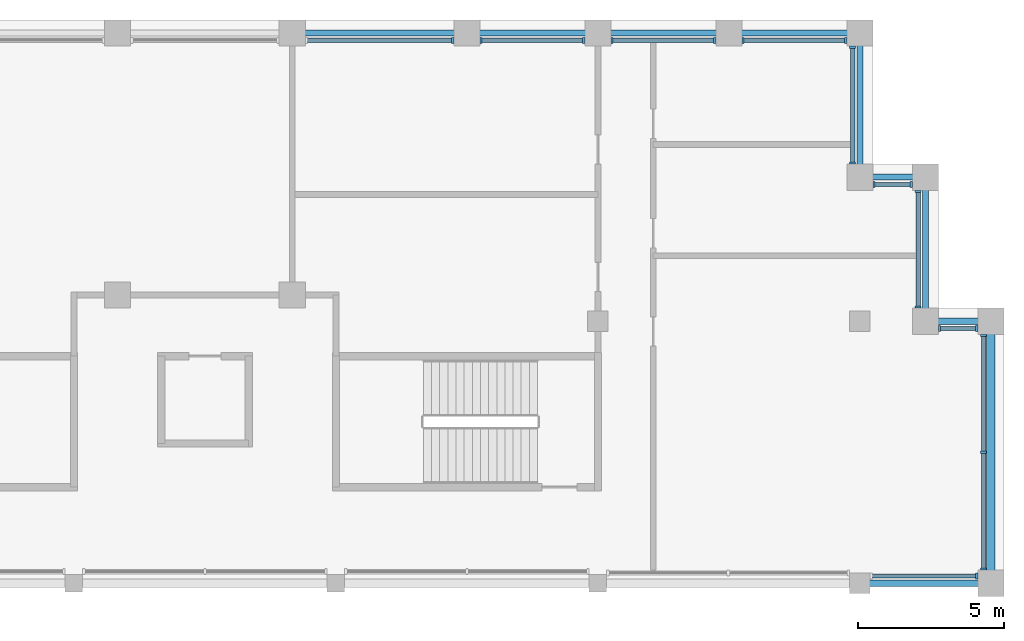
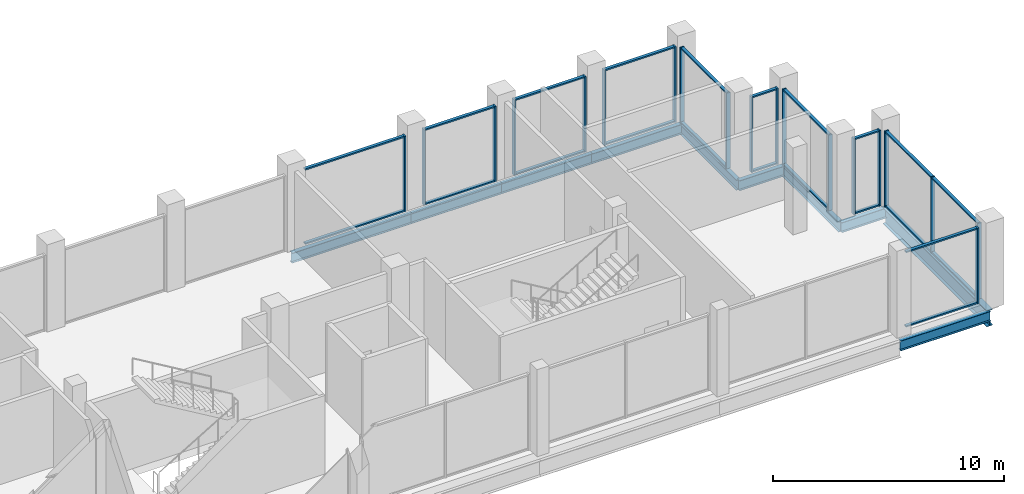
# One storey, part 4 of 8: 41 members, 10 beams, 10 elements without a shape of their own.
"""IFC4 building model written with IfcOpenShell, lengths in metres."""

from ifc_helpers import new_model, si_unit, direction, frame, origin, origin_2d, place, context, subcontext, project, spatial, rectangle, i_section, extrude, material, layer, layer_set, material_profile, profile_set, type_object, element, aggregate, save


model = new_model("IFC4")

# Units and contexts
model_context = context("Model", 3, precision=1e-05, world=origin(), true_north=direction((0.0, 1.0)))
body_context = subcontext(model_context, "Body", "Model", "MODEL_VIEW")
ifc_project = project(units=[si_unit("LENGTHUNIT", "METRE"), si_unit("AREAUNIT", "SQUARE_METRE"), si_unit("VOLUMEUNIT", "CUBIC_METRE"), si_unit("PLANEANGLEUNIT", "RADIAN"), si_unit("MASSUNIT", "GRAM", prefix="KILO")], contexts=[model_context])

# Site, building, storey
site_placement = place(None, origin())
site = spatial("IfcSite", under=ifc_project, at=site_placement, CompositionType="ELEMENT")
building_placement = place(site_placement, origin())
building = spatial("IfcBuilding", under=site, at=building_placement, Name="Corbelhall Arena Tower", CompositionType="ELEMENT")
storey_placement = place(building_placement, frame((0.0, 0.0, 381.0)))
storey = spatial("IfcBuildingStorey", under=building, at=storey_placement, Name="L82", CompositionType="ELEMENT", Elevation=381.0)

# Curtain wall, member
ifc_material_1 = material(Name="Aluminium black anodised", Category="aluminium")
ifc_layer = layer(ifc_material_1, 0.179931640625)
ifc_layer_set = layer_set([ifc_layer], Name="EV-CW3 Crown glazing")
curtain_wall_type = type_object("IfcCurtainWallType", Name="EV-CW3 Crown glazing", PredefinedType="NOTDEFINED", material=ifc_layer_set)
curtain_wall_1_placement = place(storey_placement, origin())
curtain_wall_1 = element("IfcCurtainWall", 1, at=curtain_wall_1_placement, inside=storey, type_object=curtain_wall_type, Name="Curtain wall CW3E", PredefinedType="NOTDEFINED")
ifc_material_profile_1 = material_profile(ifc_material_1, rectangle(XDim=0.199951171875, YDim=0.074951171875, at=origin_2d()))
ifc_profile_set_1 = profile_set([ifc_material_profile_1], Name="Aluminium black anodised")
member_type_1 = type_object("IfcMemberType", Name="EV-CW3-MULLION", PredefinedType="MULLION", material=ifc_profile_set_1)
member_1_placement = place(storey_placement, frame((26.512451171875, 9.25, 0.0), z_axis=(0.0, 0.0, 1.0), x_axis=(0.0, 1.0, 0.0)))
member_1 = element("IfcMember", 2, at=member_1_placement, type_object=member_type_1, Name="CW3E mullion 2", PredefinedType="MULLION", context=body_context, shape_type="SweptSolid", body=[
    extrude(rectangle(XDim=0.199951171875, YDim=0.074951171875, at=origin_2d()), origin(), (0.0, 0.0, 1.0), 3.99951171875),
])

# Curtain wall, members
curtain_wall_2_placement = place(storey_placement, origin())
curtain_wall_2 = element("IfcCurtainWall", 3, at=curtain_wall_2_placement, inside=storey, type_object=curtain_wall_type, Name="Curtain wall CW3", PredefinedType="NOTDEFINED")
member_2_placement = place(storey_placement, frame((26.75, 9.487548828125, 0.0), z_axis=(0.0, 0.0, 1.0), x_axis=(-1.0, 0.0, 0.0)))
member_2 = element("IfcMember", 4, at=member_2_placement, type_object=member_type_1, Name="CW3 mullion 1", PredefinedType="MULLION", context=body_context, shape_type="SweptSolid", body=[
    extrude(rectangle(XDim=0.199951171875, YDim=0.074951171875, at=origin_2d()), origin(), (0.0, 0.0, 1.0), 3.99951171875),
])
member_3_placement = place(storey_placement, frame((26.75, 13.5, 0.0), z_axis=(0.0, 0.0, 1.0), x_axis=(-1.0, 0.0, 0.0)))
member_3 = element("IfcMember", 5, at=member_3_placement, type_object=member_type_1, Name="CW3 mullion 2", PredefinedType="MULLION", context=body_context, shape_type="SweptSolid", body=[
    extrude(rectangle(XDim=0.199951171875, YDim=0.074951171875, at=origin_2d()), origin(), (0.0, 0.0, 1.0), 3.99951171875),
])
member_4_placement = place(storey_placement, frame((26.75, 17.512451171875, 0.0), z_axis=(0.0, 0.0, 1.0), x_axis=(-1.0, 0.0, 0.0)))
member_4 = element("IfcMember", 6, at=member_4_placement, type_object=member_type_1, Name="CW3 mullion 3", PredefinedType="MULLION", context=body_context, shape_type="SweptSolid", body=[
    extrude(rectangle(XDim=0.199951171875, YDim=0.074951171875, at=origin_2d()), origin(), (0.0, 0.0, 1.0), 3.99951171875),
])

curtain_wall_3_placement = place(storey_placement, origin())
curtain_wall_3 = element("IfcCurtainWall", 7, at=curtain_wall_3_placement, inside=storey, type_object=curtain_wall_type, Name="Curtain wall CW3B", PredefinedType="NOTDEFINED")
member_5_placement = place(storey_placement, frame((26.512451171875, 17.75, 0.0), z_axis=(0.0, 0.0, 1.0), x_axis=(0.0, -1.0, 0.0)))
member_5 = element("IfcMember", 8, at=member_5_placement, type_object=member_type_1, Name="CW3B mullion 1", PredefinedType="MULLION", context=body_context, shape_type="SweptSolid", body=[
    extrude(rectangle(XDim=0.199951171875, YDim=0.074951171875, at=origin_2d()), origin(), (0.0, 0.0, 1.0), 3.99951171875),
])
member_6_placement = place(storey_placement, frame((25.237548828125, 17.75, 0.0), z_axis=(0.0, 0.0, 1.0), x_axis=(0.0, -1.0, 0.0)))
member_6 = element("IfcMember", 9, at=member_6_placement, type_object=member_type_1, Name="CW3B mullion 2", PredefinedType="MULLION", context=body_context, shape_type="SweptSolid", body=[
    extrude(rectangle(XDim=0.199951171875, YDim=0.074951171875, at=origin_2d()), origin(), (0.0, 0.0, 1.0), 3.99951171875),
])

curtain_wall_4_placement = place(storey_placement, origin())
curtain_wall_4 = element("IfcCurtainWall", 10, at=curtain_wall_4_placement, inside=storey, type_object=curtain_wall_type, Name="Curtain wall CW3", PredefinedType="NOTDEFINED")
member_7_placement = place(storey_placement, frame((24.5, 18.487548828125, 0.0), z_axis=(0.0, 0.0, 1.0), x_axis=(-1.0, 0.0, 0.0)))
member_7 = element("IfcMember", 11, at=member_7_placement, type_object=member_type_1, Name="CW3 mullion 1", PredefinedType="MULLION", context=body_context, shape_type="SweptSolid", body=[
    extrude(rectangle(XDim=0.199951171875, YDim=0.074951171875, at=origin_2d()), origin(), (0.0, 0.0, 1.0), 3.99951171875),
])
member_8_placement = place(storey_placement, frame((24.5, 22.46240234375, 0.0), z_axis=(0.0, 0.0, 1.0), x_axis=(-1.0, 0.0, 0.0)))
member_8 = element("IfcMember", 12, at=member_8_placement, type_object=member_type_1, Name="CW3 mullion 2", PredefinedType="MULLION", context=body_context, shape_type="SweptSolid", body=[
    extrude(rectangle(XDim=0.199951171875, YDim=0.074951171875, at=origin_2d()), origin(), (0.0, 0.0, 1.0), 3.99951171875),
])

curtain_wall_5_placement = place(storey_placement, origin())
curtain_wall_5 = element("IfcCurtainWall", 13, at=curtain_wall_5_placement, inside=storey, type_object=curtain_wall_type, Name="Curtain wall CW3B", PredefinedType="NOTDEFINED")
member_9_placement = place(storey_placement, frame((24.262451171875, 22.699951171875, 0.0), z_axis=(0.0, 0.0, 1.0), x_axis=(0.0, -1.0, 0.0)))
member_9 = element("IfcMember", 14, at=member_9_placement, type_object=member_type_1, Name="CW3B mullion 1", PredefinedType="MULLION", context=body_context, shape_type="SweptSolid", body=[
    extrude(rectangle(XDim=0.199951171875, YDim=0.074951171875, at=origin_2d()), origin(), (0.0, 0.0, 1.0), 3.99951171875),
])
member_10_placement = place(storey_placement, frame((22.987548828125, 22.699951171875, 0.0), z_axis=(0.0, 0.0, 1.0), x_axis=(0.0, -1.0, 0.0)))
member_10 = element("IfcMember", 15, at=member_10_placement, type_object=member_type_1, Name="CW3B mullion 2", PredefinedType="MULLION", context=body_context, shape_type="SweptSolid", body=[
    extrude(rectangle(XDim=0.199951171875, YDim=0.074951171875, at=origin_2d()), origin(), (0.0, 0.0, 1.0), 3.99951171875),
])

curtain_wall_6_placement = place(storey_placement, origin())
curtain_wall_6 = element("IfcCurtainWall", 16, at=curtain_wall_6_placement, inside=storey, type_object=curtain_wall_type, Name="Curtain wall CW3", PredefinedType="NOTDEFINED")
member_11_placement = place(storey_placement, frame((22.25, 23.4375, 0.0), z_axis=(0.0, 0.0, 1.0), x_axis=(-1.0, 0.0, 0.0)))
member_11 = element("IfcMember", 17, at=member_11_placement, type_object=member_type_1, Name="CW3 mullion 1", PredefinedType="MULLION", context=body_context, shape_type="SweptSolid", body=[
    extrude(rectangle(XDim=0.199951171875, YDim=0.074951171875, at=origin_2d()), origin(), (0.0, 0.0, 1.0), 3.99951171875),
])
member_12_placement = place(storey_placement, frame((22.25, 27.41259765625, 0.0), z_axis=(0.0, 0.0, 1.0), x_axis=(-1.0, 0.0, 0.0)))
member_12 = element("IfcMember", 18, at=member_12_placement, type_object=member_type_1, Name="CW3 mullion 2", PredefinedType="MULLION", context=body_context, shape_type="SweptSolid", body=[
    extrude(rectangle(XDim=0.199951171875, YDim=0.074951171875, at=origin_2d()), origin(), (0.0, 0.0, 1.0), 3.99951171875),
])

curtain_wall_7_placement = place(storey_placement, origin())
curtain_wall_7 = element("IfcCurtainWall", 19, at=curtain_wall_7_placement, inside=storey, type_object=curtain_wall_type, Name="Curtain wall CW3A", PredefinedType="NOTDEFINED")
member_13_placement = place(storey_placement, frame((22.012451171875, 27.64990234375, 0.0), z_axis=(0.0, 0.0, 1.0), x_axis=(0.0, -1.0, 0.0)))
member_13 = element("IfcMember", 20, at=member_13_placement, type_object=member_type_1, Name="CW3A mullion 1", PredefinedType="MULLION", context=body_context, shape_type="SweptSolid", body=[
    extrude(rectangle(XDim=0.199951171875, YDim=0.074951171875, at=origin_2d()), origin(), (0.0, 0.0, 1.0), 3.99951171875),
])
member_14_placement = place(storey_placement, frame((18.487548828125, 27.64990234375, 0.0), z_axis=(0.0, 0.0, 1.0), x_axis=(0.0, -1.0, 0.0)))
member_14 = element("IfcMember", 21, at=member_14_placement, type_object=member_type_1, Name="CW3A mullion 2", PredefinedType="MULLION", context=body_context, shape_type="SweptSolid", body=[
    extrude(rectangle(XDim=0.199951171875, YDim=0.074951171875, at=origin_2d()), origin(), (0.0, 0.0, 1.0), 3.99951171875),
])

curtain_wall_8_placement = place(storey_placement, origin())
curtain_wall_8 = element("IfcCurtainWall", 22, at=curtain_wall_8_placement, inside=storey, type_object=curtain_wall_type, Name="Curtain wall CW3A", PredefinedType="NOTDEFINED")
member_15_placement = place(storey_placement, frame((17.512451171875, 27.64990234375, 0.0), z_axis=(0.0, 0.0, 1.0), x_axis=(0.0, -1.0, 0.0)))
member_15 = element("IfcMember", 23, at=member_15_placement, type_object=member_type_1, Name="CW3A mullion 1", PredefinedType="MULLION", context=body_context, shape_type="SweptSolid", body=[
    extrude(rectangle(XDim=0.199951171875, YDim=0.074951171875, at=origin_2d()), origin(), (0.0, 0.0, 1.0), 3.99951171875),
])
member_16_placement = place(storey_placement, frame((13.987548828125, 27.64990234375, 0.0), z_axis=(0.0, 0.0, 1.0), x_axis=(0.0, -1.0, 0.0)))
member_16 = element("IfcMember", 24, at=member_16_placement, type_object=member_type_1, Name="CW3A mullion 2", PredefinedType="MULLION", context=body_context, shape_type="SweptSolid", body=[
    extrude(rectangle(XDim=0.199951171875, YDim=0.074951171875, at=origin_2d()), origin(), (0.0, 0.0, 1.0), 3.99951171875),
])

curtain_wall_9_placement = place(storey_placement, origin())
curtain_wall_9 = element("IfcCurtainWall", 25, at=curtain_wall_9_placement, inside=storey, type_object=curtain_wall_type, Name="Curtain wall CW3A", PredefinedType="NOTDEFINED")
member_17_placement = place(storey_placement, frame((13.012451171875, 27.64990234375, 0.0), z_axis=(0.0, 0.0, 1.0), x_axis=(0.0, -1.0, 0.0)))
member_17 = element("IfcMember", 26, at=member_17_placement, type_object=member_type_1, Name="CW3A mullion 1", PredefinedType="MULLION", context=body_context, shape_type="SweptSolid", body=[
    extrude(rectangle(XDim=0.199951171875, YDim=0.074951171875, at=origin_2d()), origin(), (0.0, 0.0, 1.0), 3.99951171875),
])
member_18_placement = place(storey_placement, frame((9.487548828125, 27.64990234375, 0.0), z_axis=(0.0, 0.0, 1.0), x_axis=(0.0, -1.0, 0.0)))
member_18 = element("IfcMember", 27, at=member_18_placement, type_object=member_type_1, Name="CW3A mullion 2", PredefinedType="MULLION", context=body_context, shape_type="SweptSolid", body=[
    extrude(rectangle(XDim=0.199951171875, YDim=0.074951171875, at=origin_2d()), origin(), (0.0, 0.0, 1.0), 3.99951171875),
])

# Curtain wall, member
curtain_wall_10_placement = place(storey_placement, origin())
curtain_wall_10 = element("IfcCurtainWall", 28, at=curtain_wall_10_placement, inside=storey, type_object=curtain_wall_type, Name="Curtain wall CW3C", PredefinedType="NOTDEFINED")
member_19_placement = place(storey_placement, frame((8.512451171875, 27.64990234375, 0.0), z_axis=(0.0, 0.0, 1.0), x_axis=(0.0, -1.0, 0.0)))
member_19 = element("IfcMember", 29, at=member_19_placement, type_object=member_type_1, Name="CW3C mullion 1", PredefinedType="MULLION", context=body_context, shape_type="SweptSolid", body=[
    extrude(rectangle(XDim=0.199951171875, YDim=0.074951171875, at=origin_2d()), origin(), (0.0, 0.0, 1.0), 3.99951171875),
])

# Member
ifc_material_profile_2 = material_profile(ifc_material_1, rectangle(XDim=0.14990234375, YDim=0.074951171875, at=origin_2d()))
ifc_profile_set_2 = profile_set([ifc_material_profile_2], Name="Aluminium black anodised")
member_type_2 = type_object("IfcMemberType", Name="EV-CW3-TRANSOM", PredefinedType="USERDEFINED", material=ifc_profile_set_2)
member_20_placement = place(storey_placement, frame((22.925048828125, 9.25, 0.03759765625), z_axis=(1.0, 0.0, 0.0), x_axis=(0.0, 1.0, 0.0)))
member_20 = element("IfcMember", 30, at=member_20_placement, type_object=member_type_2, Name="CW3E transom 1.1", ObjectType="transom", PredefinedType="USERDEFINED", context=body_context, shape_type="SweptSolid", body=[
    extrude(rectangle(XDim=0.14990234375, YDim=0.074951171875, at=origin_2d()), origin(), (0.0, 0.0, 1.0), 3.550048828125),
])

member_21_placement = place(storey_placement, frame((22.925048828125, 9.25, 3.962158203125), z_axis=(1.0, 0.0, 0.0), x_axis=(0.0, 1.0, 0.0)))
member_21 = element("IfcMember", 31, at=member_21_placement, type_object=member_type_2, Name="CW3E transom 1.2", ObjectType="transom", PredefinedType="USERDEFINED", context=body_context, shape_type="SweptSolid", body=[
    extrude(rectangle(XDim=0.14990234375, YDim=0.074951171875, at=origin_2d()), origin(), (0.0, 0.0, 1.0), 3.550048828125),
])

aggregate(curtain_wall_1, [member_1, member_20, member_21])

member_22_placement = place(storey_placement, frame((26.75, 9.52490234375, 0.03759765625), z_axis=(0.0, 1.0, 0.0), x_axis=(-1.0, 0.0, 0.0)))
member_22 = element("IfcMember", 32, at=member_22_placement, type_object=member_type_2, Name="CW3 transom 1.1", ObjectType="transom", PredefinedType="USERDEFINED", context=body_context, shape_type="SweptSolid", body=[
    extrude(rectangle(XDim=0.14990234375, YDim=0.074951171875, at=origin_2d()), origin(), (0.0, 0.0, 1.0), 3.9375),
])

member_23_placement = place(storey_placement, frame((26.75, 9.52490234375, 3.962158203125), z_axis=(0.0, 1.0, 0.0), x_axis=(-1.0, 0.0, 0.0)))
member_23 = element("IfcMember", 33, at=member_23_placement, type_object=member_type_2, Name="CW3 transom 1.2", ObjectType="transom", PredefinedType="USERDEFINED", context=body_context, shape_type="SweptSolid", body=[
    extrude(rectangle(XDim=0.14990234375, YDim=0.074951171875, at=origin_2d()), origin(), (0.0, 0.0, 1.0), 3.9375),
])

member_24_placement = place(storey_placement, frame((26.75, 13.53759765625, 0.03759765625), z_axis=(0.0, 1.0, 0.0), x_axis=(-1.0, 0.0, 0.0)))
member_24 = element("IfcMember", 34, at=member_24_placement, type_object=member_type_2, Name="CW3 transom 2.1", ObjectType="transom", PredefinedType="USERDEFINED", context=body_context, shape_type="SweptSolid", body=[
    extrude(rectangle(XDim=0.14990234375, YDim=0.074951171875, at=origin_2d()), origin(), (0.0, 0.0, 1.0), 3.9375),
])

member_25_placement = place(storey_placement, frame((26.75, 13.53759765625, 3.962158203125), z_axis=(0.0, 1.0, 0.0), x_axis=(-1.0, 0.0, 0.0)))
member_25 = element("IfcMember", 35, at=member_25_placement, type_object=member_type_2, Name="CW3 transom 2.2", ObjectType="transom", PredefinedType="USERDEFINED", context=body_context, shape_type="SweptSolid", body=[
    extrude(rectangle(XDim=0.14990234375, YDim=0.074951171875, at=origin_2d()), origin(), (0.0, 0.0, 1.0), 3.9375),
])

aggregate(curtain_wall_2, [member_2, member_3, member_4, member_22, member_23, member_24, member_25])

member_26_placement = place(storey_placement, frame((26.47509765625, 17.75, 0.03759765625), z_axis=(-1.0, 0.0, 0.0), x_axis=(0.0, -1.0, 0.0)))
member_26 = element("IfcMember", 36, at=member_26_placement, type_object=member_type_2, Name="CW3B transom 1.1", ObjectType="transom", PredefinedType="USERDEFINED", context=body_context, shape_type="SweptSolid", body=[
    extrude(rectangle(XDim=0.14990234375, YDim=0.074951171875, at=origin_2d()), origin(), (0.0, 0.0, 1.0), 1.2001953125),
])

member_27_placement = place(storey_placement, frame((26.47509765625, 17.75, 3.962158203125), z_axis=(-1.0, 0.0, 0.0), x_axis=(0.0, -1.0, 0.0)))
member_27 = element("IfcMember", 37, at=member_27_placement, type_object=member_type_2, Name="CW3B transom 1.2", ObjectType="transom", PredefinedType="USERDEFINED", context=body_context, shape_type="SweptSolid", body=[
    extrude(rectangle(XDim=0.14990234375, YDim=0.074951171875, at=origin_2d()), origin(), (0.0, 0.0, 1.0), 1.2001953125),
])

aggregate(curtain_wall_3, [member_5, member_6, member_26, member_27])

member_28_placement = place(storey_placement, frame((24.5, 18.52490234375, 0.03759765625), z_axis=(0.0, 1.0, 0.0), x_axis=(-1.0, 0.0, 0.0)))
member_28 = element("IfcMember", 38, at=member_28_placement, type_object=member_type_2, Name="CW3 transom 1.1", ObjectType="transom", PredefinedType="USERDEFINED", context=body_context, shape_type="SweptSolid", body=[
    extrude(rectangle(XDim=0.14990234375, YDim=0.074951171875, at=origin_2d()), origin(), (0.0, 0.0, 1.0), 3.900146484375),
])

member_29_placement = place(storey_placement, frame((24.5, 18.52490234375, 3.962158203125), z_axis=(0.0, 1.0, 0.0), x_axis=(-1.0, 0.0, 0.0)))
member_29 = element("IfcMember", 39, at=member_29_placement, type_object=member_type_2, Name="CW3 transom 1.2", ObjectType="transom", PredefinedType="USERDEFINED", context=body_context, shape_type="SweptSolid", body=[
    extrude(rectangle(XDim=0.14990234375, YDim=0.074951171875, at=origin_2d()), origin(), (0.0, 0.0, 1.0), 3.900146484375),
])

aggregate(curtain_wall_4, [member_7, member_8, member_28, member_29])

member_30_placement = place(storey_placement, frame((24.22509765625, 22.699951171875, 0.03759765625), z_axis=(-1.0, 0.0, 0.0), x_axis=(0.0, -1.0, 0.0)))
member_30 = element("IfcMember", 40, at=member_30_placement, type_object=member_type_2, Name="CW3B transom 1.1", ObjectType="transom", PredefinedType="USERDEFINED", context=body_context, shape_type="SweptSolid", body=[
    extrude(rectangle(XDim=0.14990234375, YDim=0.074951171875, at=origin_2d()), origin(), (0.0, 0.0, 1.0), 1.2001953125),
])

member_31_placement = place(storey_placement, frame((24.22509765625, 22.699951171875, 3.962158203125), z_axis=(-1.0, 0.0, 0.0), x_axis=(0.0, -1.0, 0.0)))
member_31 = element("IfcMember", 41, at=member_31_placement, type_object=member_type_2, Name="CW3B transom 1.2", ObjectType="transom", PredefinedType="USERDEFINED", context=body_context, shape_type="SweptSolid", body=[
    extrude(rectangle(XDim=0.14990234375, YDim=0.074951171875, at=origin_2d()), origin(), (0.0, 0.0, 1.0), 1.2001953125),
])

aggregate(curtain_wall_5, [member_9, member_10, member_30, member_31])

member_32_placement = place(storey_placement, frame((22.25, 23.47509765625, 0.03759765625), z_axis=(0.0, 1.0, 0.0), x_axis=(-1.0, 0.0, 0.0)))
member_32 = element("IfcMember", 42, at=member_32_placement, type_object=member_type_2, Name="CW3 transom 1.1", ObjectType="transom", PredefinedType="USERDEFINED", context=body_context, shape_type="SweptSolid", body=[
    extrude(rectangle(XDim=0.14990234375, YDim=0.074951171875, at=origin_2d()), origin(), (0.0, 0.0, 1.0), 3.89990234375),
])

member_33_placement = place(storey_placement, frame((22.25, 23.47509765625, 3.962158203125), z_axis=(0.0, 1.0, 0.0), x_axis=(-1.0, 0.0, 0.0)))
member_33 = element("IfcMember", 43, at=member_33_placement, type_object=member_type_2, Name="CW3 transom 1.2", ObjectType="transom", PredefinedType="USERDEFINED", context=body_context, shape_type="SweptSolid", body=[
    extrude(rectangle(XDim=0.14990234375, YDim=0.074951171875, at=origin_2d()), origin(), (0.0, 0.0, 1.0), 3.89990234375),
])

aggregate(curtain_wall_6, [member_11, member_12, member_32, member_33])

member_34_placement = place(storey_placement, frame((21.97509765625, 27.64990234375, 0.03759765625), z_axis=(-1.0, 0.0, 0.0), x_axis=(0.0, -1.0, 0.0)))
member_34 = element("IfcMember", 44, at=member_34_placement, type_object=member_type_2, Name="CW3A transom 1.1", ObjectType="transom", PredefinedType="USERDEFINED", context=body_context, shape_type="SweptSolid", body=[
    extrude(rectangle(XDim=0.14990234375, YDim=0.074951171875, at=origin_2d()), origin(), (0.0, 0.0, 1.0), 3.4501953125),
])

member_35_placement = place(storey_placement, frame((21.97509765625, 27.64990234375, 3.962158203125), z_axis=(-1.0, 0.0, 0.0), x_axis=(0.0, -1.0, 0.0)))
member_35 = element("IfcMember", 45, at=member_35_placement, type_object=member_type_2, Name="CW3A transom 1.2", ObjectType="transom", PredefinedType="USERDEFINED", context=body_context, shape_type="SweptSolid", body=[
    extrude(rectangle(XDim=0.14990234375, YDim=0.074951171875, at=origin_2d()), origin(), (0.0, 0.0, 1.0), 3.4501953125),
])

aggregate(curtain_wall_7, [member_13, member_14, member_34, member_35])

member_36_placement = place(storey_placement, frame((17.47509765625, 27.64990234375, 0.03759765625), z_axis=(-1.0, 0.0, 0.0), x_axis=(0.0, -1.0, 0.0)))
member_36 = element("IfcMember", 46, at=member_36_placement, type_object=member_type_2, Name="CW3A transom 1.1", ObjectType="transom", PredefinedType="USERDEFINED", context=body_context, shape_type="SweptSolid", body=[
    extrude(rectangle(XDim=0.14990234375, YDim=0.074951171875, at=origin_2d()), origin(), (0.0, 0.0, 1.0), 3.4501953125),
])

member_37_placement = place(storey_placement, frame((17.47509765625, 27.64990234375, 3.962158203125), z_axis=(-1.0, 0.0, 0.0), x_axis=(0.0, -1.0, 0.0)))
member_37 = element("IfcMember", 47, at=member_37_placement, type_object=member_type_2, Name="CW3A transom 1.2", ObjectType="transom", PredefinedType="USERDEFINED", context=body_context, shape_type="SweptSolid", body=[
    extrude(rectangle(XDim=0.14990234375, YDim=0.074951171875, at=origin_2d()), origin(), (0.0, 0.0, 1.0), 3.4501953125),
])

aggregate(curtain_wall_8, [member_15, member_16, member_36, member_37])

member_38_placement = place(storey_placement, frame((12.97509765625, 27.64990234375, 0.03759765625), z_axis=(-1.0, 0.0, 0.0), x_axis=(0.0, -1.0, 0.0)))
member_38 = element("IfcMember", 48, at=member_38_placement, type_object=member_type_2, Name="CW3A transom 1.1", ObjectType="transom", PredefinedType="USERDEFINED", context=body_context, shape_type="SweptSolid", body=[
    extrude(rectangle(XDim=0.14990234375, YDim=0.074951171875, at=origin_2d()), origin(), (0.0, 0.0, 1.0), 3.4501953125),
])

member_39_placement = place(storey_placement, frame((12.97509765625, 27.64990234375, 3.962158203125), z_axis=(-1.0, 0.0, 0.0), x_axis=(0.0, -1.0, 0.0)))
member_39 = element("IfcMember", 49, at=member_39_placement, type_object=member_type_2, Name="CW3A transom 1.2", ObjectType="transom", PredefinedType="USERDEFINED", context=body_context, shape_type="SweptSolid", body=[
    extrude(rectangle(XDim=0.14990234375, YDim=0.074951171875, at=origin_2d()), origin(), (0.0, 0.0, 1.0), 3.4501953125),
])

aggregate(curtain_wall_9, [member_17, member_18, member_38, member_39])

member_40_placement = place(storey_placement, frame((8.47509765625, 27.64990234375, 0.03759765625), z_axis=(-1.0, 0.0, 0.0), x_axis=(0.0, -1.0, 0.0)))
member_40 = element("IfcMember", 50, at=member_40_placement, type_object=member_type_2, Name="CW3C transom 1.1", ObjectType="transom", PredefinedType="USERDEFINED", context=body_context, shape_type="SweptSolid", body=[
    extrude(rectangle(XDim=0.14990234375, YDim=0.074951171875, at=origin_2d()), origin(), (0.0, 0.0, 1.0), 4.9501953125),
])

member_41_placement = place(storey_placement, frame((8.47509765625, 27.64990234375, 3.962158203125), z_axis=(-1.0, 0.0, 0.0), x_axis=(0.0, -1.0, 0.0)))
member_41 = element("IfcMember", 51, at=member_41_placement, type_object=member_type_2, Name="CW3C transom 1.2", ObjectType="transom", PredefinedType="USERDEFINED", context=body_context, shape_type="SweptSolid", body=[
    extrude(rectangle(XDim=0.14990234375, YDim=0.074951171875, at=origin_2d()), origin(), (0.0, 0.0, 1.0), 4.9501953125),
])

aggregate(curtain_wall_10, [member_19, member_40, member_41])

# Beams
ifc_material_2 = material(Name="Steel ASTM A992 Gr50", Category="steel")
ifc_material_profile_3 = material_profile(ifc_material_2, i_section(OverallWidth=0.2099609375, OverallDepth=0.535888671875, WebThickness=0.010986328125, FlangeThickness=0.017333984375, at=origin_2d()))
ifc_profile_set_3 = profile_set([ifc_material_profile_3], Name="Steel ASTM A992 Gr50")
beam_type_1 = type_object("IfcBeamType", Name="ST-SPANDREL-W21x68", PredefinedType="SPANDREL", material=ifc_profile_set_3)
beam_1_placement = place(storey_placement, frame((27.0, 9.0, -0.66845703125), z_axis=(-1.0, 0.0, 0.0), x_axis=(0.0, -1.0, 0.0)))
element("IfcBeam", 52, at=beam_1_placement, inside=storey, type_object=beam_type_1, Name="Beam SP 7", PredefinedType="SPANDREL", context=body_context, shape_type="SweptSolid", body=[
    extrude(i_section(OverallWidth=0.2099609375, OverallDepth=0.535888671875, WebThickness=0.010986328125, FlangeThickness=0.017333984375, at=origin_2d()), origin(), (0.0, 0.0, 1.0), 4.5),
])
beam_2_placement = place(storey_placement, frame((3.0, 27.89990234375, -0.66845703125), z_axis=(1.0, 0.0, 0.0), x_axis=(0.0, 1.0, 0.0)))
element("IfcBeam", 53, at=beam_2_placement, inside=storey, type_object=beam_type_1, Name="Beam SP 9", PredefinedType="SPANDREL", context=body_context, shape_type="SweptSolid", body=[
    extrude(i_section(OverallWidth=0.2099609375, OverallDepth=0.535888671875, WebThickness=0.010986328125, FlangeThickness=0.017333984375, at=origin_2d()), origin(), (0.0, 0.0, 1.0), 6.0),
])
for number, where, z_axis, x_axis, name in (
    (54, (9.0, 27.89990234375, -0.66845703125), (1.0, 0.0, 0.0), (0.0, 1.0, 0.0), "Beam SP 10"),
    (55, (13.5, 27.89990234375, -0.66845703125), (1.0, 0.0, 0.0), (0.0, 1.0, 0.0), "Beam SP 11"),
    (56, (18.0, 27.89990234375, -0.66845703125), (1.0, 0.0, 0.0), (0.0, 1.0, 0.0), "Beam SP 12"),
):
    element("IfcBeam", number, at=place(storey_placement, frame(where, z_axis=z_axis, x_axis=x_axis)), inside=storey, type_object=beam_type_1, Name=name, PredefinedType="SPANDREL", context=body_context, shape_type="SweptSolid", body=[
        extrude(i_section(OverallWidth=0.2099609375, OverallDepth=0.535888671875, WebThickness=0.010986328125, FlangeThickness=0.017333984375, at=origin_2d()), origin(), (0.0, 0.0, 1.0), 4.5),
    ])
beam_3_placement = place(storey_placement, frame((22.5, 27.89990234375, -0.66845703125), z_axis=(0.0, -1.0, 0.0), x_axis=(1.0, 0.0, 0.0)))
element("IfcBeam", 57, at=beam_3_placement, inside=storey, type_object=beam_type_1, Name="Beam SP 13", PredefinedType="SPANDREL", context=body_context, shape_type="SweptSolid", body=[
    extrude(i_section(OverallWidth=0.2099609375, OverallDepth=0.535888671875, WebThickness=0.010986328125, FlangeThickness=0.017333984375, at=origin_2d()), origin(), (0.0, 0.0, 1.0), 4.949951171875),
])
beam_4_placement = place(storey_placement, frame((22.5, 22.949951171875, -0.66845703125), z_axis=(1.0, 0.0, 0.0), x_axis=(0.0, 1.0, 0.0)))
element("IfcBeam", 58, at=beam_4_placement, inside=storey, type_object=beam_type_1, Name="Beam SP 21", PredefinedType="SPANDREL", context=body_context, shape_type="SweptSolid", body=[
    extrude(i_section(OverallWidth=0.2099609375, OverallDepth=0.535888671875, WebThickness=0.010986328125, FlangeThickness=0.017333984375, at=origin_2d()), origin(), (0.0, 0.0, 1.0), 2.25),
])
beam_5_placement = place(storey_placement, frame((24.75, 22.949951171875, -0.66845703125), z_axis=(0.0, -1.0, 0.0), x_axis=(1.0, 0.0, 0.0)))
element("IfcBeam", 59, at=beam_5_placement, inside=storey, type_object=beam_type_1, Name="Beam SP 22", PredefinedType="SPANDREL", context=body_context, shape_type="SweptSolid", body=[
    extrude(i_section(OverallWidth=0.2099609375, OverallDepth=0.535888671875, WebThickness=0.010986328125, FlangeThickness=0.017333984375, at=origin_2d()), origin(), (0.0, 0.0, 1.0), 4.949951171875),
])
beam_6_placement = place(storey_placement, frame((24.75, 18.0, -0.66845703125), z_axis=(1.0, 0.0, 0.0), x_axis=(0.0, 1.0, 0.0)))
element("IfcBeam", 60, at=beam_6_placement, inside=storey, type_object=beam_type_1, Name="Beam SP 23", PredefinedType="SPANDREL", context=body_context, shape_type="SweptSolid", body=[
    extrude(i_section(OverallWidth=0.2099609375, OverallDepth=0.535888671875, WebThickness=0.010986328125, FlangeThickness=0.017333984375, at=origin_2d()), origin(), (0.0, 0.0, 1.0), 2.25),
])
ifc_material_profile_4 = material_profile(ifc_material_2, i_section(OverallWidth=0.2919921875, OverallDepth=0.845703125, WebThickness=0.015380859375, FlangeThickness=0.0244140625, at=origin_2d()))
ifc_profile_set_4 = profile_set([ifc_material_profile_4], Name="Steel ASTM A992 Gr50")
beam_type_2 = type_object("IfcBeamType", Name="ST-SPANDREL-W33x141", PredefinedType="SPANDREL", material=ifc_profile_set_4)
beam_7_placement = place(storey_placement, frame((27.0, 18.0, -0.8232421875), z_axis=(0.0, -1.0, 0.0), x_axis=(1.0, 0.0, 0.0)))
element("IfcBeam", 61, at=beam_7_placement, inside=storey, type_object=beam_type_2, Name="Beam SP 8", PredefinedType="SPANDREL", context=body_context, shape_type="SweptSolid", body=[
    extrude(i_section(OverallWidth=0.2919921875, OverallDepth=0.845703125, WebThickness=0.015380859375, FlangeThickness=0.0244140625, at=origin_2d()), origin(), (0.0, 0.0, 1.0), 9.0),
])

save(model, "model.ifc")
